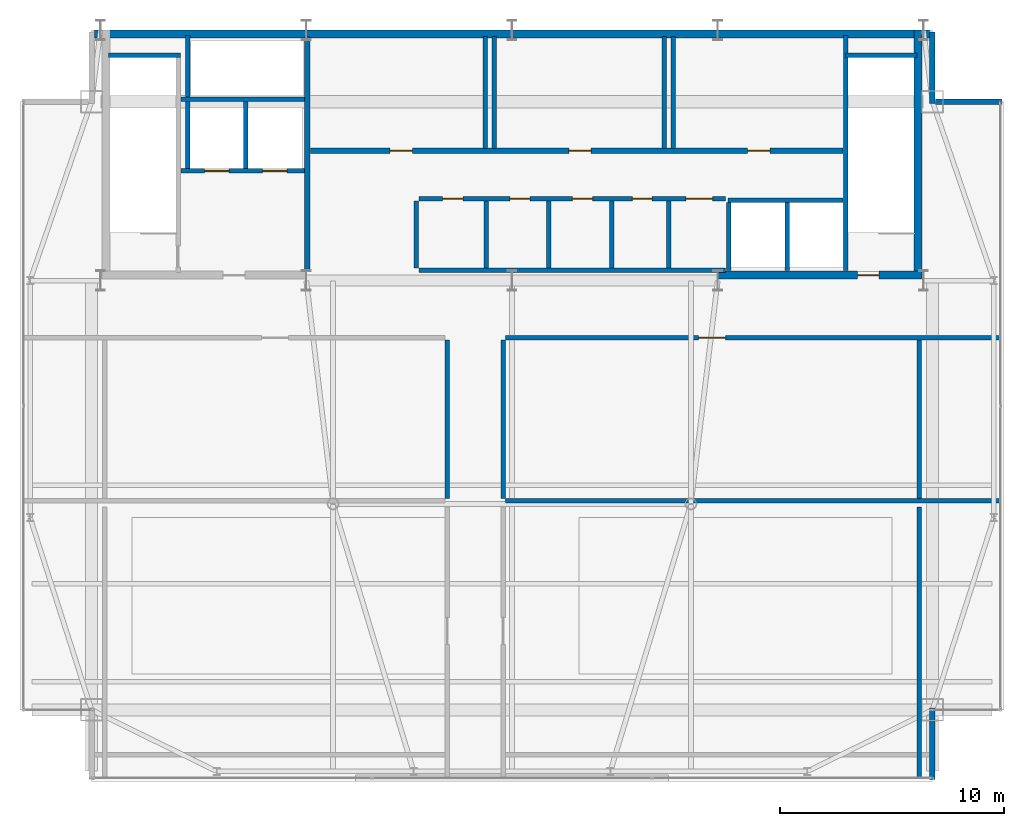
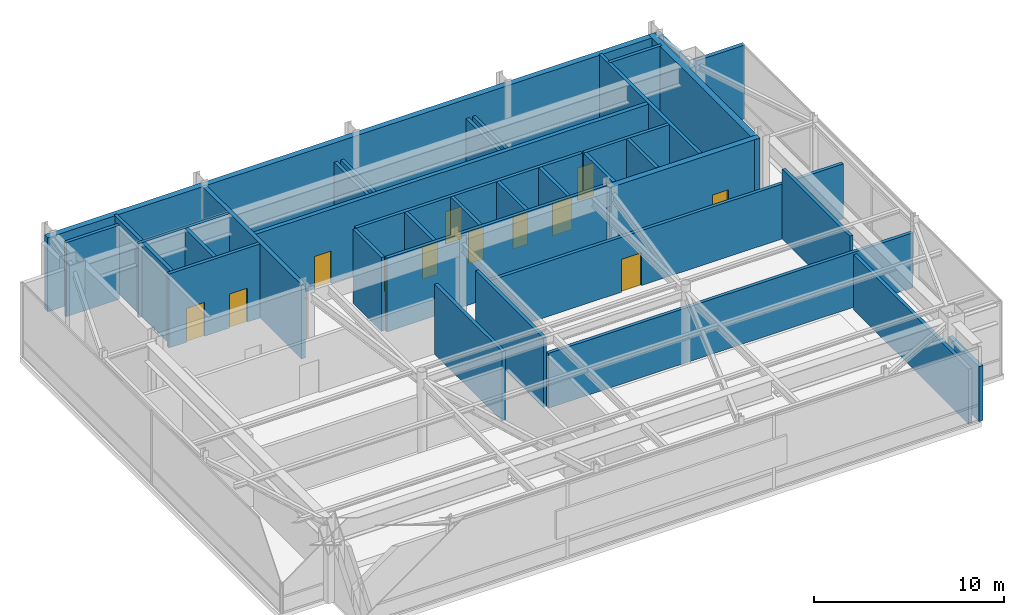
# One storey, part 19 of 20: 35 walls, 12 doors, 12 openings.
"""IFC4 building model written with IfcOpenShell, lengths in metres."""

from ifc_helpers import new_model, si_unit, direction, frame, frame_2d, origin, place, context, subcontext, project, spatial, rectangle, extrude, source, transform, mapped, material, layer, layer_set, type_object, type_shapes, element, fill, save


model = new_model("IFC4")

# Units and contexts
model_context = context("Model", 3, precision=1e-05, world=origin(), true_north=direction((0.0, 1.0)))
body_context = subcontext(model_context, "Body", "Model", "MODEL_VIEW")
ifc_project = project(units=[si_unit("LENGTHUNIT", "METRE"), si_unit("AREAUNIT", "SQUARE_METRE"), si_unit("VOLUMEUNIT", "CUBIC_METRE"), si_unit("PLANEANGLEUNIT", "RADIAN"), si_unit("MASSUNIT", "GRAM", prefix="KILO")], contexts=[model_context])

# Site, building, storey
site_placement = place(None, origin())
site = spatial("IfcSite", under=ifc_project, at=site_placement, CompositionType="ELEMENT")
building_placement = place(site_placement, origin())
building = spatial("IfcBuilding", under=site, at=building_placement, Name="Varnel Quay Broadcast Tower", CompositionType="ELEMENT")
storey_placement = place(building_placement, frame((0.0, 0.0, 314.60009765625)))
storey = spatial("IfcBuildingStorey", under=building, at=storey_placement, Name="L78", CompositionType="ELEMENT", Elevation=314.60009765625)

# Wall
ifc_material_1 = material(Name="Concrete CSA A23.3 C50/60", Category="concrete")
ifc_layer_1 = layer(ifc_material_1, 0.199951171875, Name="Concrete CSA A23.3 C50/60")
ifc_layer_set_1 = layer_set([ifc_layer_1], Name="Concrete CSA A23.3 C50/60")
wall_type_1 = type_object("IfcWallType", Name="Wall_CoreShaftShear200", PredefinedType="SHEAR", material=ifc_layer_set_1)
wall_1_placement = place(storey_placement, frame((15.949951171875, 45.679931640625, 0.0), z_axis=(0.0, 0.0, 1.0), x_axis=(1.0, 0.0, 0.0)))
element("IfcWall", 1, at=wall_1_placement, inside=storey, type_object=wall_type_1, Name="L78 Stair 1 North Structural Wall", PredefinedType="SHEAR", context=body_context, shape_type="SweptSolid", body=[
    extrude(rectangle(XDim=3.22998046875, YDim=0.199951171875, at=frame_2d((1.614990234375, 0.0))), origin(), (0.0, 0.0, 1.0), 4.75),
])

# Wall, openings, doors
wall_2_placement = place(storey_placement, frame((19.199951171875, 40.5, 0.0), z_axis=(0.0, 0.0, 1.0), x_axis=(1.0, 0.0, 0.0)))
wall_2 = element("IfcWall", 2, at=wall_2_placement, inside=storey, type_object=wall_type_1, Name="L78 Firefighter Lift Shaft Front Wall", PredefinedType="SHEAR", context=body_context, shape_type="SweptSolid", body=[
    extrude(rectangle(XDim=5.52001953125, YDim=0.199951171875, at=frame_2d((2.760009765625, 0.0))), origin(), (0.0, 0.0, 1.0), 4.75),
])
opening_1_placement = place(wall_2_placement, frame((1.050048828125, 0.0, 0.0)))
opening_1 = element("IfcOpeningElement", 3, at=opening_1_placement, cuts=wall_2, Name="Opening LD-L78-FE1", PredefinedType="OPENING", context=body_context, shape_type="SweptSolid", body=[
    extrude(rectangle(XDim=1.10009765625, YDim=2.179931640625, at=frame_2d((0.550048828125, 1.08984375))), frame((0.0, 0.10986328125, 0.0), z_axis=(0.0, -1.0, 0.0), x_axis=(1.0, 0.0, 0.0)), (0.0, 0.0, 1.0), 0.219970703125),
])
opening_2_placement = place(wall_2_placement, frame((3.64990234375, 0.0, 0.0)))
opening_2 = element("IfcOpeningElement", 4, at=opening_2_placement, cuts=wall_2, Name="Opening LD-L78-FE2", PredefinedType="OPENING", context=body_context, shape_type="SweptSolid", body=[
    extrude(rectangle(XDim=1.10009765625, YDim=2.179931640625, at=frame_2d((0.550048828125, 1.08984375))), frame((0.0, 0.10986328125, 0.0), z_axis=(0.0, -1.0, 0.0), x_axis=(1.0, 0.0, 0.0)), (0.0, 0.0, 1.0), 0.219970703125),
])
ifc_material_2 = material(Name="Brushed Bronze-Stainless Lift Car & Sliding Doors", Category="steel")
door_type_1 = type_object("IfcDoorType", Name="Door_LiftLanding1100", OperationType="SLIDING_TO_LEFT", PredefinedType="DOOR", material=ifc_material_2)
shared_shape_1 = source(origin(), body_context, "Body", "SweptSolid", [
    extrude(rectangle(XDim=1.10009765625, YDim=2.179931640625, at=frame_2d((0.550048828125, 1.08984375))), frame((0.0, 0.02490234375, 0.0), z_axis=(0.0, -1.0, 0.0), x_axis=(1.0, 0.0, 0.0)), (0.0, 0.0, 1.0), 0.050048828125),
])
type_shapes(door_type_1, [shared_shape_1])
door_1_placement = place(opening_1_placement, frame((1.10009765625, 0.0, 0.0), z_axis=(0.0, 0.0, 1.0), x_axis=(-1.0, 0.0, 0.0)))
door_1 = element("IfcDoor", 5, at=door_1_placement, inside=storey, type_object=door_type_1, Name="L78 Firefighter Lift FE-01 Landing Door", OperationType="SLIDING_TO_LEFT", OverallHeight=2.179931640625, OverallWidth=1.10009765625, PredefinedType="DOOR", context=body_context, shape_type="MappedRepresentation", body=[
    mapped(shared_shape_1, transform((0.0, 0.0, 0.0), x_axis=(1.0, 0.0, 0.0), y_axis=(0.0, 1.0, 0.0), z_axis=(0.0, 0.0, 1.0), scale=1.0)),
])
fill(opening_1, door_1)
door_2_placement = place(opening_2_placement, frame((1.10009765625, 0.0, 0.0), z_axis=(0.0, 0.0, 1.0), x_axis=(-1.0, 0.0, 0.0)))
door_2 = element("IfcDoor", 6, at=door_2_placement, inside=storey, type_object=door_type_1, Name="L78 Firefighter Lift FE-02 Landing Door", OperationType="SLIDING_TO_RIGHT", OverallHeight=2.179931640625, OverallWidth=1.10009765625, PredefinedType="DOOR", context=body_context, shape_type="MappedRepresentation", body=[
    mapped(shared_shape_1, transform((0.0, 0.0, 0.0), x_axis=(1.0, 0.0, 0.0), y_axis=(0.0, 1.0, 0.0), z_axis=(0.0, 0.0, 1.0), scale=1.0)),
])
fill(opening_2, door_2)

# Walls
wall_3_placement = place(storey_placement, frame((19.199951171875, 43.699951171875, 0.0), z_axis=(0.0, 0.0, 1.0), x_axis=(1.0, 0.0, 0.0)))
element("IfcWall", 7, at=wall_3_placement, inside=storey, type_object=wall_type_1, Name="L78 Firefighter Lift Shaft Rear Wall", PredefinedType="SHEAR", context=body_context, shape_type="SweptSolid", body=[
    extrude(rectangle(XDim=5.52001953125, YDim=0.199951171875, at=frame_2d((2.760009765625, 0.0))), origin(), (0.0, 0.0, 1.0), 4.75),
])
wall_4_placement = place(storey_placement, frame((22.10009765625, 40.60009765625, 0.0), z_axis=(0.0, 0.0, 1.0), x_axis=(0.0, 1.0, 0.0)))
element("IfcWall", 8, at=wall_4_placement, inside=storey, type_object=wall_type_1, Name="L78 Firefighter Lift Shaft Divider", PredefinedType="SHEAR", context=body_context, shape_type="SweptSolid", body=[
    extrude(rectangle(XDim=3.0, YDim=0.199951171875, at=frame_2d((1.5, 0.0))), origin(), (0.0, 0.0, 1.0), 4.75),
])
wall_5_placement = place(storey_placement, frame((19.5, 40.60009765625, 0.0), z_axis=(0.0, 0.0, 1.0), x_axis=(0.0, 1.0, 0.0)))
element("IfcWall", 9, at=wall_5_placement, inside=storey, type_object=wall_type_1, Name="L78 Firefighter Lift Shaft West Wall", PredefinedType="SHEAR", context=body_context, shape_type="SweptSolid", body=[
    extrude(rectangle(XDim=5.949951171875, YDim=0.199951171875, at=frame_2d((2.97509765625, 0.0))), origin(), (0.0, 0.0, 1.0), 4.75),
])
wall_6_placement = place(storey_placement, frame((48.919921875, 36.050048828125, 0.0), z_axis=(0.0, 0.0, 1.0), x_axis=(0.0, 1.0, 0.0)))
element("IfcWall", 10, at=wall_6_placement, inside=storey, type_object=wall_type_1, Name="L78 Stair 2 West Structural Wall", PredefinedType="SHEAR", context=body_context, shape_type="SweptSolid", body=[
    extrude(rectangle(XDim=10.5, YDim=0.199951171875, at=frame_2d((5.25, 0.0))), origin(), (0.0, 0.0, 1.0), 4.75),
])
wall_7_placement = place(storey_placement, frame((48.919921875, 45.679931640625, 0.0), z_axis=(0.0, 0.0, 1.0), x_axis=(1.0, 0.0, 0.0)))
element("IfcWall", 11, at=wall_7_placement, inside=storey, type_object=wall_type_1, Name="L78 Stair 2 North Structural Wall", PredefinedType="SHEAR", context=body_context, shape_type="SweptSolid", body=[
    extrude(rectangle(XDim=3.18017578125, YDim=0.199951171875, at=frame_2d((1.590087890625, 0.0))), origin(), (0.0, 0.0, 1.0), 4.75),
])
for number, where, z_axis, x_axis, name in (
    (12, (43.699951171875, 36.050048828125, 0.0), (0.0, 0.0, 1.0), (0.0, 1.0, 0.0), "L78 Express Lift Shaft West Wall"),
    (13, (46.300048828125, 36.050048828125, 0.0), (0.0, 0.0, 1.0), (0.0, 1.0, 0.0), "L78 Express Lift Shaft Divider"),
):
    element("IfcWall", number, at=place(storey_placement, frame(where, z_axis=z_axis, x_axis=x_axis)), inside=storey, type_object=wall_type_1, Name=name, PredefinedType="SHEAR", context=body_context, shape_type="SweptSolid", body=[
        extrude(rectangle(XDim=3.050048828125, YDim=0.199951171875, at=frame_2d((1.52490234375, 0.0))), origin(), (0.0, 0.0, 1.0), 4.75),
    ])
wall_8_placement = place(storey_placement, frame((43.64990234375, 39.199951171875, 0.0), z_axis=(0.0, 0.0, 1.0), x_axis=(1.0, 0.0, 0.0)))
element("IfcWall", 14, at=wall_8_placement, inside=storey, type_object=wall_type_1, Name="L78 Express Lift Shaft North Front Wall", PredefinedType="SHEAR", context=body_context, shape_type="SweptSolid", body=[
    extrude(rectangle(XDim=5.150146484375, YDim=0.199951171875, at=frame_2d((2.5751953125, 0.0))), origin(), (0.0, 0.0, 1.0), 4.75),
])
ifc_layer_2 = layer(ifc_material_1, 0.25, Name="Concrete CSA A23.3 C50/60")
ifc_layer_set_2 = layer_set([ifc_layer_2], Name="Concrete CSA A23.3 C50/60")
wall_type_2 = type_object("IfcWallType", Name="Wall_CoreShaftShear250", PredefinedType="SHEAR", material=ifc_layer_set_2)
wall_9_placement = place(storey_placement, frame((24.85009765625, 36.050048828125, 0.0), z_axis=(0.0, 0.0, 1.0), x_axis=(0.0, 1.0, 0.0)))
element("IfcWall", 15, at=wall_9_placement, inside=storey, type_object=wall_type_2, Name="L78 Firefighting Lobby East Structural Wall", PredefinedType="SHEAR", context=body_context, shape_type="SweptSolid", body=[
    extrude(rectangle(XDim=10.449951171875, YDim=0.25, at=frame_2d((5.22509765625, 0.0))), origin(), (0.0, 0.0, 1.0), 4.75),
])

# Wall, openings, doors
wall_10_placement = place(storey_placement, frame((24.97998046875, 41.39990234375, 0.0), z_axis=(0.0, 0.0, 1.0), x_axis=(1.0, 0.0, 0.0)))
wall_10 = element("IfcWall", 16, at=wall_10_placement, inside=storey, type_object=wall_type_2, Name="L78 North Lift Bank & Reclaimed Suite Wall", PredefinedType="SHEAR", context=body_context, shape_type="SweptSolid", body=[
    extrude(rectangle(XDim=23.820068359375, YDim=0.25, at=frame_2d((11.91015625, 0.0))), origin(), (0.0, 0.0, 1.0), 4.75),
])
opening_3_placement = place(wall_10_placement, frame((3.56005859375, 0.0, 0.0)))
opening_3 = element("IfcOpeningElement", 17, at=opening_3_placement, cuts=wall_10, Name="Opening D-L78-RECA1", PredefinedType="OPENING", context=body_context, shape_type="SweptSolid", body=[
    extrude(rectangle(XDim=1.0, YDim=2.080078125, at=frame_2d((0.5, 1.0400390625))), frame((0.0, 0.135009765625, 0.0), z_axis=(0.0, -1.0, 0.0), x_axis=(1.0, 0.0, 0.0)), (0.0, 0.0, 1.0), 0.27001953125),
])
opening_4_placement = place(wall_10_placement, frame((11.56005859375, 0.0, 0.0)))
opening_4 = element("IfcOpeningElement", 18, at=opening_4_placement, cuts=wall_10, Name="Opening D-L78-RECB1", PredefinedType="OPENING", context=body_context, shape_type="SweptSolid", body=[
    extrude(rectangle(XDim=1.0, YDim=2.080078125, at=frame_2d((0.5, 1.0400390625))), frame((0.0, 0.135009765625, 0.0), z_axis=(0.0, -1.0, 0.0), x_axis=(1.0, 0.0, 0.0)), (0.0, 0.0, 1.0), 0.27001953125),
])
opening_5_placement = place(wall_10_placement, frame((19.56005859375, 0.0, 0.0)))
opening_5 = element("IfcOpeningElement", 19, at=opening_5_placement, cuts=wall_10, Name="Opening D-L78-RECC1", PredefinedType="OPENING", context=body_context, shape_type="SweptSolid", body=[
    extrude(rectangle(XDim=1.0, YDim=2.080078125, at=frame_2d((0.5, 1.0400390625))), frame((0.0, 0.135009765625, 0.0), z_axis=(0.0, -1.0, 0.0), x_axis=(1.0, 0.0, 0.0)), (0.0, 0.0, 1.0), 0.27001953125),
])
ifc_material_3 = material(Name="Insulated Fire-Rated Hollow Steel Door", Category="steel")
door_type_2 = type_object("IfcDoorType", Name="Door_FireLobby1000", OperationType="NOTDEFINED", PredefinedType="DOOR", material=ifc_material_3)
shared_shape_2 = source(origin(), body_context, "Body", "SweptSolid", [
    extrude(rectangle(XDim=1.0, YDim=2.080078125, at=frame_2d((0.5, 1.0400390625))), frame((0.0, 0.02490234375, 0.0), z_axis=(0.0, -1.0, 0.0), x_axis=(1.0, 0.0, 0.0)), (0.0, 0.0, 1.0), 0.050048828125),
])
type_shapes(door_type_2, [shared_shape_2])
door_3_placement = place(opening_3_placement, origin())
door_3 = element("IfcDoor", 20, at=door_3_placement, inside=storey, type_object=door_type_2, Name="L78 L78 Mechanical Exhaust Plenum A Door", OperationType="SINGLE_SWING_LEFT", OverallHeight=2.080078125, OverallWidth=1.0, PredefinedType="DOOR", context=body_context, shape_type="MappedRepresentation", body=[
    mapped(shared_shape_2, transform((0.0, 0.0, 0.0), x_axis=(1.0, 0.0, 0.0), y_axis=(0.0, 1.0, 0.0), z_axis=(0.0, 0.0, 1.0), scale=1.0)),
])
fill(opening_3, door_3)
door_4_placement = place(opening_4_placement, origin())
door_4 = element("IfcDoor", 21, at=door_4_placement, inside=storey, type_object=door_type_2, Name="L78 L78 Mechanical Supply Plenum B Door", OperationType="SINGLE_SWING_RIGHT", OverallHeight=2.080078125, OverallWidth=1.0, PredefinedType="DOOR", context=body_context, shape_type="MappedRepresentation", body=[
    mapped(shared_shape_2, transform((0.0, 0.0, 0.0), x_axis=(1.0, 0.0, 0.0), y_axis=(0.0, 1.0, 0.0), z_axis=(0.0, 0.0, 1.0), scale=1.0)),
])
fill(opening_4, door_4)
door_5_placement = place(opening_5_placement, origin())
door_5 = element("IfcDoor", 22, at=door_5_placement, inside=storey, type_object=door_type_2, Name="L78 Crown Heat-Recovery Damper Room Door", OperationType="SINGLE_SWING_LEFT", OverallHeight=2.080078125, OverallWidth=1.0, PredefinedType="DOOR", context=body_context, shape_type="MappedRepresentation", body=[
    mapped(shared_shape_2, transform((0.0, 0.0, 0.0), x_axis=(1.0, 0.0, 0.0), y_axis=(0.0, 1.0, 0.0), z_axis=(0.0, 0.0, 1.0), scale=1.0)),
])
fill(opening_5, door_5)

# Walls
ifc_layer_3 = layer(ifc_material_1, 0.35009765625, Name="Concrete CSA A23.3 C50/60")
ifc_layer_set_3 = layer_set([ifc_layer_3], Name="Concrete CSA A23.3 C50/60")
wall_type_3 = type_object("IfcWallType", Name="Wall_CoreShearExt350", PredefinedType="SHEAR", material=ifc_layer_set_3)
wall_11_placement = place(storey_placement, frame((15.324951171875, 46.625, 0.0), z_axis=(0.0, 0.0, 1.0), x_axis=(1.0, 0.0, 0.0)))
element("IfcWall", 23, at=wall_11_placement, inside=storey, type_object=wall_type_3, Name="L78 North Core Shear Wall", PredefinedType="SHEAR", context=body_context, shape_type="SweptSolid", body=[
    extrude(rectangle(XDim=37.35009765625, YDim=0.35009765625, at=frame_2d((18.675048828125, 0.0))), origin(), (0.0, 0.0, 1.0), 4.75),
])
ifc_layer_4 = layer(ifc_material_1, 0.35009765625, Name="Concrete CSA A23.3 C50/60")
ifc_layer_set_4 = layer_set([ifc_layer_4], Name="Concrete CSA A23.3 C50/60")
wall_type_4 = type_object("IfcWallType", Name="Wall_CoreShearInt350", PredefinedType="SHEAR", material=ifc_layer_set_4)
wall_12_placement = place(storey_placement, frame((52.155029296875, 35.669921875, 0.0), z_axis=(0.0, 0.0, 1.0), x_axis=(0.0, 1.0, 0.0)))
element("IfcWall", 24, at=wall_12_placement, inside=storey, type_object=wall_type_4, Name="L78 East Core Shear Wall", PredefinedType="SHEAR", context=body_context, shape_type="SweptSolid", body=[
    extrude(rectangle(XDim=11.130126953125, YDim=0.35009765625, at=frame_2d((5.56494140625, 0.0))), origin(), (0.0, 0.0, 1.0), 4.75),
])

# Wall, opening, door
wall_13_placement = place(storey_placement, frame((43.199951171875, 35.844970703125, 0.0), z_axis=(0.0, 0.0, 1.0), x_axis=(1.0, 0.0, 0.0)))
wall_13 = element("IfcWall", 25, at=wall_13_placement, inside=storey, type_object=wall_type_4, Name="L78 South-East Core Shear Wall", PredefinedType="SHEAR", context=body_context, shape_type="SweptSolid", body=[
    extrude(rectangle(XDim=9.130126953125, YDim=0.35009765625, at=frame_2d((4.56494140625, 0.0))), origin(), (0.0, 0.0, 1.0), 4.75),
])
opening_6_placement = place(wall_13_placement, frame((6.25, 0.0, 0.0)))
opening_6 = element("IfcOpeningElement", 26, at=opening_6_placement, cuts=wall_13, Name="Opening D-L78-S2", PredefinedType="OPENING", context=body_context, shape_type="SweptSolid", body=[
    extrude(rectangle(XDim=0.949951171875, YDim=2.10009765625, at=frame_2d((0.47509765625, 1.050048828125))), frame((0.0, 0.18505859375, 0.0), z_axis=(0.0, -1.0, 0.0), x_axis=(1.0, 0.0, 0.0)), (0.0, 0.0, 1.0), 0.3701171875),
])
door_type_3 = type_object("IfcDoorType", Name="Door_FireStair950", OperationType="NOTDEFINED", PredefinedType="DOOR", material=ifc_material_3)
shared_shape_3 = source(origin(), body_context, "Body", "SweptSolid", [
    extrude(rectangle(XDim=0.949951171875, YDim=2.10009765625, at=frame_2d((0.47509765625, 1.050048828125))), frame((0.0, 0.02490234375, 0.0), z_axis=(0.0, -1.0, 0.0), x_axis=(1.0, 0.0, 0.0)), (0.0, 0.0, 1.0), 0.050048828125),
])
type_shapes(door_type_3, [shared_shape_3])
door_6_placement = place(opening_6_placement, origin())
door_6 = element("IfcDoor", 27, at=door_6_placement, inside=storey, type_object=door_type_3, Name="L78 Stair 2 Fire Door", OperationType="SINGLE_SWING_RIGHT", OverallHeight=2.10009765625, OverallWidth=0.949951171875, PredefinedType="DOOR", context=body_context, shape_type="MappedRepresentation", body=[
    mapped(shared_shape_3, transform((0.0, 0.0, 0.0), x_axis=(1.0, 0.0, 0.0), y_axis=(0.0, 1.0, 0.0), z_axis=(0.0, 0.0, 1.0), scale=1.0)),
])
fill(opening_6, door_6)

# Walls
ifc_material_4 = material(Name="Precast Architectural Concrete C40/50", Category="concrete")
ifc_layer_5 = layer(ifc_material_4, 0.25, Name="Precast Architectural Concrete C40/50")
ifc_layer_set_5 = layer_set([ifc_layer_5], Name="Precast Architectural Concrete C40/50")
wall_type_5 = type_object("IfcWallType", Name="Wall_ExtTerrace250", PredefinedType="SOLIDWALL", material=ifc_layer_set_5)
wall_14_placement = place(storey_placement, frame((52.800048828125, 13.280029296875, 0.0), z_axis=(0.0, 0.0, 1.0), x_axis=(0.0, 1.0, 0.0)))
element("IfcWall", 28, at=wall_14_placement, inside=storey, type_object=wall_type_5, Name="L78 Mega-Column Notch Cladding Wall NSE2", PredefinedType="SOLIDWALL", context=body_context, shape_type="SweptSolid", body=[
    extrude(rectangle(XDim=3.199951171875, YDim=0.25, at=frame_2d((1.60009765625, 0.0))), origin(), (0.0, 0.0, 1.0), 3.52490234375),
])
wall_15_placement = place(storey_placement, frame((52.929931640625, 43.60009765625, 0.0), z_axis=(0.0, 0.0, 1.0), x_axis=(1.0, 0.0, 0.0)))
element("IfcWall", 29, at=wall_15_placement, inside=storey, type_object=wall_type_5, Name="L78 Mega-Column Notch Cladding Wall NNE1", PredefinedType="SOLIDWALL", context=body_context, shape_type="SweptSolid", body=[
    extrude(rectangle(XDim=2.989990234375, YDim=0.25, at=frame_2d((1.4951171875, 0.0))), origin(), (0.0, 0.0, 1.0), 4.72998046875),
])
wall_16_placement = place(storey_placement, frame((52.800048828125, 43.52001953125, 0.0), z_axis=(0.0, 0.0, 1.0), x_axis=(0.0, 1.0, 0.0)))
element("IfcWall", 30, at=wall_16_placement, inside=storey, type_object=wall_type_5, Name="L78 Mega-Column Notch Cladding Wall NNE2", PredefinedType="SOLIDWALL", context=body_context, shape_type="SweptSolid", body=[
    extrude(rectangle(XDim=3.199951171875, YDim=0.25, at=frame_2d((1.60009765625, 0.0))), origin(), (0.0, 0.0, 1.0), 4.370849609375),
])
ifc_material_5 = material(Name="Concrete Blockwork Fire Enclosure C40/50", Category="masonry")
ifc_layer_6 = layer(ifc_material_5, 0.199951171875, Name="Concrete Blockwork Fire Enclosure C40/50")
ifc_layer_set_6 = layer_set([ifc_layer_6], Name="Concrete Blockwork Fire Enclosure C40/50")
wall_type_6 = type_object("IfcWallType", Name="Wall_FireShaft200", PredefinedType="SOLIDWALL", material=ifc_layer_set_6)
wall_17_placement = place(storey_placement, frame((29.85009765625, 36.050048828125, 0.0), z_axis=(0.0, 0.0, 1.0), x_axis=(1.0, 0.0, 0.0)))
element("IfcWall", 31, at=wall_17_placement, inside=storey, type_object=wall_type_6, Name="L78 Plant Floor Accessible Washroom Partition 1", PredefinedType="SOLIDWALL", context=body_context, shape_type="SweptSolid", body=[
    extrude(rectangle(XDim=13.699951171875, YDim=0.199951171875, at=frame_2d((6.85009765625, 0.0))), origin(), (0.0, 0.0, 1.0), 4.72998046875),
])
wall_18_placement = place(storey_placement, frame((32.85009765625, 36.14990234375, 0.0), z_axis=(0.0, 0.0, 1.0), x_axis=(0.0, 1.0, 0.0)))
element("IfcWall", 32, at=wall_18_placement, inside=storey, type_object=wall_type_6, Name="L78 Plant Floor Accessible Washroom Partition 2", PredefinedType="SOLIDWALL", context=body_context, shape_type="SweptSolid", body=[
    extrude(rectangle(XDim=3.0, YDim=0.199951171875, at=frame_2d((1.5, 0.0))), origin(), (0.0, 0.0, 1.0), 4.72998046875),
])

# Wall, openings, doors
wall_19_placement = place(storey_placement, frame((29.85009765625, 39.25, 0.0), z_axis=(0.0, 0.0, 1.0), x_axis=(1.0, 0.0, 0.0)))
wall_19 = element("IfcWall", 33, at=wall_19_placement, inside=storey, type_object=wall_type_6, Name="L78 Plant Floor Accessible Washroom Partition 3", PredefinedType="SOLIDWALL", context=body_context, shape_type="SweptSolid", body=[
    extrude(rectangle(XDim=13.699951171875, YDim=0.199951171875, at=frame_2d((6.85009765625, 0.0))), origin(), (0.0, 0.0, 1.0), 4.72998046875),
])
opening_7_placement = place(wall_19_placement, frame((1.050048828125, 0.0, 0.0)))
opening_7 = element("IfcOpeningElement", 34, at=opening_7_placement, cuts=wall_19, Name="Opening D-L78-01", PredefinedType="OPENING", context=body_context, shape_type="SweptSolid", body=[
    extrude(rectangle(XDim=0.89990234375, YDim=2.06005859375, at=frame_2d((0.449951171875, 1.030029296875))), frame((0.0, 0.10986328125, 0.0), z_axis=(0.0, -1.0, 0.0), x_axis=(1.0, 0.0, 0.0)), (0.0, 0.0, 1.0), 0.219970703125),
])
opening_8_placement = place(wall_19_placement, frame((4.050048828125, 0.0, 0.0)))
opening_8 = element("IfcOpeningElement", 35, at=opening_8_placement, cuts=wall_19, Name="Opening D-L78-02", PredefinedType="OPENING", context=body_context, shape_type="SweptSolid", body=[
    extrude(rectangle(XDim=0.89990234375, YDim=2.06005859375, at=frame_2d((0.449951171875, 1.030029296875))), frame((0.0, 0.10986328125, 0.0), z_axis=(0.0, -1.0, 0.0), x_axis=(1.0, 0.0, 0.0)), (0.0, 0.0, 1.0), 0.219970703125),
])
opening_9_placement = place(wall_19_placement, frame((6.85009765625, 0.0, 0.0)))
opening_9 = element("IfcOpeningElement", 36, at=opening_9_placement, cuts=wall_19, Name="Opening D-L78-03", PredefinedType="OPENING", context=body_context, shape_type="SweptSolid", body=[
    extrude(rectangle(XDim=0.89990234375, YDim=2.06005859375, at=frame_2d((0.449951171875, 1.030029296875))), frame((0.0, 0.10986328125, 0.0), z_axis=(0.0, -1.0, 0.0), x_axis=(1.0, 0.0, 0.0)), (0.0, 0.0, 1.0), 0.219970703125),
])
opening_10_placement = place(wall_19_placement, frame((9.534912109375, 0.0, 0.0)))
opening_10 = element("IfcOpeningElement", 37, at=opening_10_placement, cuts=wall_19, Name="Opening D-L78-04", PredefinedType="OPENING", context=body_context, shape_type="SweptSolid", body=[
    extrude(rectangle(XDim=0.8798828125, YDim=2.06005859375, at=frame_2d((0.43994140625, 1.030029296875))), frame((0.0, 0.10986328125, 0.0), z_axis=(0.0, -1.0, 0.0), x_axis=(1.0, 0.0, 0.0)), (0.0, 0.0, 1.0), 0.219970703125),
])
opening_11_placement = place(wall_19_placement, frame((11.925048828125, 0.0, 0.0)))
opening_11 = element("IfcOpeningElement", 38, at=opening_11_placement, cuts=wall_19, Name="Opening D-L78-05", PredefinedType="OPENING", context=body_context, shape_type="SweptSolid", body=[
    extrude(rectangle(XDim=1.199951171875, YDim=2.10009765625, at=frame_2d((0.60009765625, 1.050048828125))), frame((0.0, 0.10986328125, 0.0), z_axis=(0.0, -1.0, 0.0), x_axis=(1.0, 0.0, 0.0)), (0.0, 0.0, 1.0), 0.219970703125),
])
ifc_material_6 = material(Name="Solid-Core Fire-Rated Acoustic Oak Veneer Door", Category="wood")
door_type_4 = type_object("IfcDoorType", Name="Door_Washroom900", OperationType="NOTDEFINED", PredefinedType="DOOR", material=ifc_material_6)
shared_shape_4 = source(origin(), body_context, "Body", "SweptSolid", [
    extrude(rectangle(XDim=0.89990234375, YDim=2.06005859375, at=frame_2d((0.449951171875, 1.030029296875))), frame((0.0, 0.02490234375, 0.0), z_axis=(0.0, -1.0, 0.0), x_axis=(1.0, 0.0, 0.0)), (0.0, 0.0, 1.0), 0.050048828125),
])
type_shapes(door_type_4, [shared_shape_4])
door_7_placement = place(opening_7_placement, frame((0.89990234375, 0.0, 0.0), z_axis=(0.0, 0.0, 1.0), x_axis=(-1.0, 0.0, 0.0)))
door_7 = element("IfcDoor", 39, at=door_7_placement, inside=storey, type_object=door_type_4, Name="L78 Plant Floor Accessible Washroom Door D-L78-01", OperationType="SINGLE_SWING_RIGHT", OverallHeight=2.06005859375, OverallWidth=0.89990234375, PredefinedType="DOOR", context=body_context, shape_type="MappedRepresentation", body=[
    mapped(shared_shape_4, transform((0.0, 0.0, 0.0), x_axis=(1.0, 0.0, 0.0), y_axis=(0.0, 1.0, 0.0), z_axis=(0.0, 0.0, 1.0), scale=1.0)),
])
fill(opening_7, door_7)
door_8_placement = place(opening_8_placement, frame((0.89990234375, 0.0, 0.0), z_axis=(0.0, 0.0, 1.0), x_axis=(-1.0, 0.0, 0.0)))
door_8 = element("IfcDoor", 40, at=door_8_placement, inside=storey, type_object=door_type_4, Name="L78 Mechanical West Washroom Door D-L78-02", OperationType="SINGLE_SWING_LEFT", OverallHeight=2.06005859375, OverallWidth=0.89990234375, PredefinedType="DOOR", context=body_context, shape_type="MappedRepresentation", body=[
    mapped(shared_shape_4, transform((0.0, 0.0, 0.0), x_axis=(1.0, 0.0, 0.0), y_axis=(0.0, 1.0, 0.0), z_axis=(0.0, 0.0, 1.0), scale=1.0)),
])
fill(opening_8, door_8)
door_9_placement = place(opening_9_placement, frame((0.89990234375, 0.0, 0.0), z_axis=(0.0, 0.0, 1.0), x_axis=(-1.0, 0.0, 0.0)))
door_9 = element("IfcDoor", 41, at=door_9_placement, inside=storey, type_object=door_type_4, Name="L78 Mechanical East Washroom Door D-L78-03", OperationType="SINGLE_SWING_RIGHT", OverallHeight=2.06005859375, OverallWidth=0.89990234375, PredefinedType="DOOR", context=body_context, shape_type="MappedRepresentation", body=[
    mapped(shared_shape_4, transform((0.0, 0.0, 0.0), x_axis=(1.0, 0.0, 0.0), y_axis=(0.0, 1.0, 0.0), z_axis=(0.0, 0.0, 1.0), scale=1.0)),
])
fill(opening_9, door_9)
door_type_5 = type_object("IfcDoorType", Name="Door_Plant1200", OperationType="NOTDEFINED", PredefinedType="DOOR", material=ifc_material_3)
shared_shape_5 = source(origin(), body_context, "Body", "SweptSolid", [
    extrude(rectangle(XDim=1.199951171875, YDim=2.10009765625, at=frame_2d((0.60009765625, 1.050048828125))), frame((0.0, 0.02490234375, 0.0), z_axis=(0.0, -1.0, 0.0), x_axis=(1.0, 0.0, 0.0)), (0.0, 0.0, 1.0), 0.050048828125),
])
type_shapes(door_type_5, [shared_shape_5])
door_10_placement = place(opening_11_placement, origin())
door_10 = element("IfcDoor", 42, at=door_10_placement, inside=storey, type_object=door_type_5, Name="L78 Mechanical Telecom IDF Switchroom Door D-L78-05", OperationType="SINGLE_SWING_RIGHT", OverallHeight=2.10009765625, OverallWidth=1.199951171875, PredefinedType="DOOR", context=body_context, shape_type="MappedRepresentation", body=[
    mapped(shared_shape_5, transform((0.0, 0.0, 0.0), x_axis=(1.0, 0.0, 0.0), y_axis=(0.0, 1.0, 0.0), z_axis=(0.0, 0.0, 1.0), scale=1.0)),
])
fill(opening_11, door_10)
door_type_6 = type_object("IfcDoorType", Name="Door_Booth880", OperationType="NOTDEFINED", PredefinedType="DOOR", material=ifc_material_6)
shared_shape_6 = source(origin(), body_context, "Body", "SweptSolid", [
    extrude(rectangle(XDim=0.8798828125, YDim=2.06005859375, at=frame_2d((0.43994140625, 1.030029296875))), frame((0.0, 0.02490234375, 0.0), z_axis=(0.0, -1.0, 0.0), x_axis=(1.0, 0.0, 0.0)), (0.0, 0.0, 1.0), 0.050048828125),
])
type_shapes(door_type_6, [shared_shape_6])
door_11_placement = place(opening_10_placement, frame((0.8798828125, 0.0, 0.0), z_axis=(0.0, 0.0, 1.0), x_axis=(-1.0, 0.0, 0.0)))
door_11 = element("IfcDoor", 43, at=door_11_placement, inside=storey, type_object=door_type_6, Name="L78 Cleaners' & Linen Store Door D-L78-04", OperationType="SINGLE_SWING_LEFT", OverallHeight=2.06005859375, OverallWidth=0.8798828125, PredefinedType="DOOR", context=body_context, shape_type="MappedRepresentation", body=[
    mapped(shared_shape_6, transform((0.0, 0.0, 0.0), x_axis=(1.0, 0.0, 0.0), y_axis=(0.0, 1.0, 0.0), z_axis=(0.0, 0.0, 1.0), scale=1.0)),
])
fill(opening_10, door_11)

# Walls
for number, where, z_axis, x_axis, name in (
    (44, (29.72509765625, 36.14990234375, 0.0), (0.0, 0.0, 1.0), (0.0, 1.0, 0.0), "L78 Plant Floor Accessible Washroom Partition 4"),
    (45, (35.64990234375, 36.14990234375, 0.0), (0.0, 0.0, 1.0), (0.0, 1.0, 0.0), "L78 Mechanical West Washroom Partition 5"),
    (46, (38.449951171875, 36.14990234375, 0.0), (0.0, 0.0, 1.0), (0.0, 1.0, 0.0), "L78 Mechanical East Washroom Partition 6"),
    (47, (41.0, 36.14990234375, 0.0), (0.0, 0.0, 1.0), (0.0, 1.0, 0.0), "L78 Cleaners' & Linen Store Partition 7"),
):
    element("IfcWall", number, at=place(storey_placement, frame(where, z_axis=z_axis, x_axis=x_axis)), inside=storey, type_object=wall_type_6, Name=name, PredefinedType="SOLIDWALL", context=body_context, shape_type="SweptSolid", body=[
        extrude(rectangle(XDim=3.0, YDim=0.199951171875, at=frame_2d((1.5, 0.0))), origin(), (0.0, 0.0, 1.0), 4.72998046875),
    ])
wall_20_placement = place(storey_placement, frame((31.10009765625, 25.85009765625, 0.0), z_axis=(0.0, 0.0, 1.0), x_axis=(0.0, 1.0, 0.0)))
element("IfcWall", 48, at=wall_20_placement, inside=storey, type_object=wall_type_6, Name="L78 L78 West Protected Refuge Area Partition 9", PredefinedType="SOLIDWALL", context=body_context, shape_type="SweptSolid", body=[
    extrude(rectangle(XDim=7.099853515625, YDim=0.199951171875, at=frame_2d((3.5498046875, 0.0))), origin(), (0.0, 0.0, 1.0), 4.477783203125),
])
wall_21_placement = place(storey_placement, frame((33.699951171875, 25.75, 0.0), z_axis=(0.0, 0.0, 1.0), x_axis=(1.0, 0.0, 0.0)))
element("IfcWall", 49, at=wall_21_placement, inside=storey, type_object=wall_type_6, Name="L78 L78 East Protected Refuge Area Partition 12", PredefinedType="SOLIDWALL", context=body_context, shape_type="SweptSolid", body=[
    extrude(rectangle(XDim=22.1201171875, YDim=0.199951171875, at=frame_2d((11.06005859375, 0.0))), origin(), (0.0, 0.0, 1.0), 3.52490234375),
])
wall_22_placement = place(storey_placement, frame((52.199951171875, 25.85009765625, 0.0), z_axis=(0.0, 0.0, 1.0), x_axis=(0.0, 1.0, 0.0)))
element("IfcWall", 50, at=wall_22_placement, inside=storey, type_object=wall_type_6, Name="L78 L78 East Protected Refuge Area Partition 13", PredefinedType="SOLIDWALL", context=body_context, shape_type="SweptSolid", body=[
    extrude(rectangle(XDim=7.099853515625, YDim=0.199951171875, at=frame_2d((3.5498046875, 0.0))), origin(), (0.0, 0.0, 1.0), 4.477783203125),
])

# Wall, opening, door
wall_23_placement = place(storey_placement, frame((33.699951171875, 33.050048828125, 0.0), z_axis=(0.0, 0.0, 1.0), x_axis=(1.0, 0.0, 0.0)))
wall_23 = element("IfcWall", 51, at=wall_23_placement, inside=storey, type_object=wall_type_6, Name="L78 L78 East Protected Refuge Area Partition 14", PredefinedType="SOLIDWALL", context=body_context, shape_type="SweptSolid", body=[
    extrude(rectangle(XDim=22.1201171875, YDim=0.199951171875, at=frame_2d((11.06005859375, 0.0))), origin(), (0.0, 0.0, 1.0), 3.52490234375),
])
opening_12_placement = place(wall_23_placement, frame((8.64990234375, 0.0, 0.0)))
opening_12 = element("IfcOpeningElement", 52, at=opening_12_placement, cuts=wall_23, Name="Opening D-L78-07", PredefinedType="OPENING", context=body_context, shape_type="SweptSolid", body=[
    extrude(rectangle(XDim=1.199951171875, YDim=2.10009765625, at=frame_2d((0.60009765625, 1.050048828125))), frame((0.0, 0.10986328125, 0.0), z_axis=(0.0, -1.0, 0.0), x_axis=(1.0, 0.0, 0.0)), (0.0, 0.0, 1.0), 0.219970703125),
])
door_12_placement = place(opening_12_placement, origin())
door_12 = element("IfcDoor", 53, at=door_12_placement, inside=storey, type_object=door_type_5, Name="L78 L78 East Protected Refuge Area Door D-L78-07", OperationType="SINGLE_SWING_RIGHT", OverallHeight=2.10009765625, OverallWidth=1.199951171875, PredefinedType="DOOR", context=body_context, shape_type="MappedRepresentation", body=[
    mapped(shared_shape_5, transform((0.0, 0.0, 0.0), x_axis=(1.0, 0.0, 0.0), y_axis=(0.0, 1.0, 0.0), z_axis=(0.0, 0.0, 1.0), scale=1.0)),
])
fill(opening_12, door_12)

# Walls
wall_24_placement = place(storey_placement, frame((33.60009765625, 25.85009765625, 0.0), z_axis=(0.0, 0.0, 1.0), x_axis=(0.0, 1.0, 0.0)))
element("IfcWall", 54, at=wall_24_placement, inside=storey, type_object=wall_type_6, Name="L78 L78 East Protected Refuge Area Partition 15", PredefinedType="SOLIDWALL", context=body_context, shape_type="SweptSolid", body=[
    extrude(rectangle(XDim=7.099853515625, YDim=0.199951171875, at=frame_2d((3.5498046875, 0.0))), origin(), (0.0, 0.0, 1.0), 4.477783203125),
])
wall_25_placement = place(storey_placement, frame((52.199951171875, 13.3798828125, 0.0), z_axis=(0.0, 0.0, 1.0), x_axis=(0.0, 1.0, 0.0)))
element("IfcWall", 55, at=wall_25_placement, inside=storey, type_object=wall_type_6, Name="L78 L78 Crown Transformer & Heat-Recovery Plant Room Partition 20", PredefinedType="SOLIDWALL", context=body_context, shape_type="SweptSolid", body=[
    extrude(rectangle(XDim=12.090087890625, YDim=0.199951171875, at=frame_2d((6.044921875, 0.0))), origin(), (0.0, 0.0, 1.0), 3.52490234375),
])
for number, where, z_axis, x_axis, name in (
    (56, (32.800048828125, 41.5, 0.0), (0.0, 0.0, 1.0), (0.0, 1.0, 0.0), "L78 L78 Mechanical Exhaust Plenum A Partition 22"),
    (57, (40.800048828125, 41.5, 0.0), (0.0, 0.0, 1.0), (0.0, 1.0, 0.0), "L78 L78 Mechanical Supply Plenum B Partition 23"),
    (58, (33.199951171875, 41.5, 0.0), (0.0, 0.0, 1.0), (0.0, 1.0, 0.0), "L78 L78 Mechanical Supply Plenum B Partition 24"),
    (59, (41.199951171875, 41.5, 0.0), (0.0, 0.0, 1.0), (0.0, 1.0, 0.0), "L78 Crown Heat-Recovery Damper Room Partition 25"),
):
    element("IfcWall", number, at=place(storey_placement, frame(where, z_axis=z_axis, x_axis=x_axis)), inside=storey, type_object=wall_type_6, Name=name, PredefinedType="SOLIDWALL", context=body_context, shape_type="SweptSolid", body=[
        extrude(rectangle(XDim=5.02001953125, YDim=0.199951171875, at=frame_2d((2.510009765625, 0.0))), origin(), (0.0, 0.0, 1.0), 3.52490234375),
    ])

save(model, "model.ifc")
